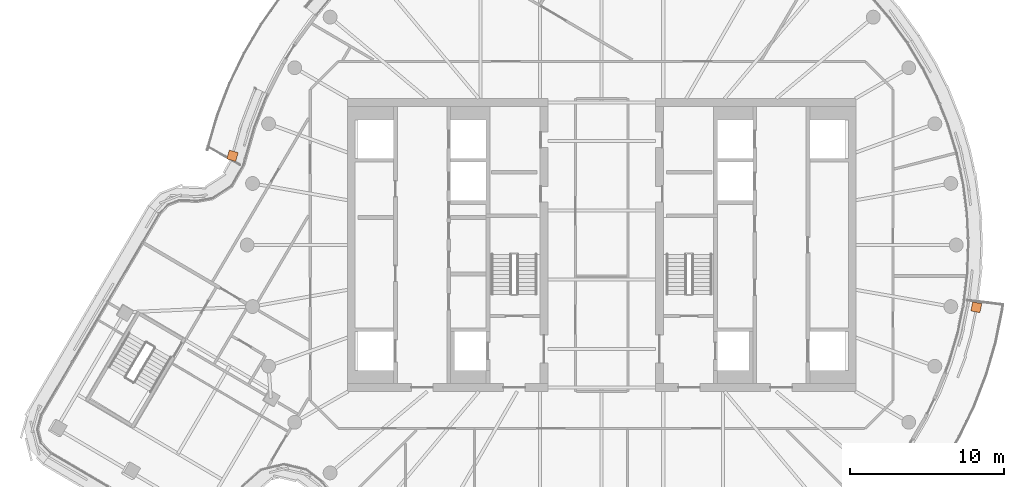
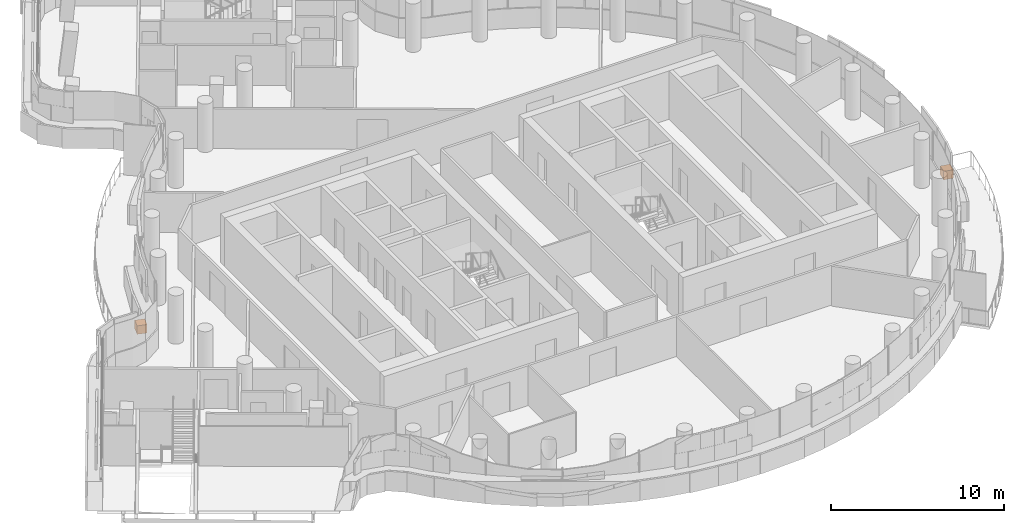
# One storey, part 26 of 26: 2 proxies.
"""IFC4 building model written with IfcOpenShell, lengths in metres."""

from ifc_helpers import new_model, si_unit, direction, frame, origin, origin_2d, place, context, subcontext, project, spatial, rectangle, extrude, material, type_object, element, save


model = new_model("IFC4")

# Units and contexts
model_context = context("Model", 3, precision=1e-05, world=origin(), true_north=direction((0.0, 1.0)))
body_context = subcontext(model_context, "Body", "Model", "MODEL_VIEW")
ifc_project = project(units=[si_unit("LENGTHUNIT", "METRE"), si_unit("AREAUNIT", "SQUARE_METRE"), si_unit("VOLUMEUNIT", "CUBIC_METRE"), si_unit("PLANEANGLEUNIT", "RADIAN"), si_unit("MASSUNIT", "GRAM", prefix="KILO")], contexts=[model_context])

# Site, building, storey
site_placement = place(None, origin())
site = spatial("IfcSite", under=ifc_project, at=site_placement, CompositionType="ELEMENT")
building_placement = place(site_placement, origin())
building = spatial("IfcBuilding", under=site, at=building_placement, Name="Tamarind Cross Interchange Tower", CompositionType="ELEMENT")
storey_placement = place(building_placement, frame((0.0, 0.0, 248.699951171875)))
storey = spatial("IfcBuildingStorey", under=building, at=storey_placement, Name="L63", CompositionType="ELEMENT", Elevation=248.699951171875)

# Proxies
ifc_material = material(Name="Concrete C30", Category="concrete")
building_element_proxy_type = type_object("IfcBuildingElementProxyType", Name="Planter", PredefinedType="USERDEFINED", material=ifc_material)
proxy_1_placement = place(storey_placement, origin())
element("IfcBuildingElementProxy", 1, at=proxy_1_placement, inside=storey, type_object=building_element_proxy_type, Name="PLT-L63-BAL01", ObjectType="Planter", PredefinedType="USERDEFINED", context=body_context, shape_type="SweptSolid", body=[
    extrude(rectangle(XDim=0.60009765625, YDim=0.60009765625, at=origin_2d()), frame((24.303955078125, -4.041748046875, 0.0), z_axis=(0.0, 0.0, 1.0), x_axis=(0.201001463943, 0.9795909409, 0.0)), (0.0, 0.0, 1.0), 0.60009765625),
])
proxy_2_placement = place(storey_placement, origin())
element("IfcBuildingElementProxy", 2, at=proxy_2_placement, inside=storey, type_object=building_element_proxy_type, Name="PLT-L63-BAL04", ObjectType="Planter", PredefinedType="USERDEFINED", context=body_context, shape_type="SweptSolid", body=[
    extrude(rectangle(XDim=0.60009765625, YDim=0.60009765625, at=origin_2d()), frame((-23.9541015625, 5.788818359375, 0.0), z_axis=(0.0, 0.0, 1.0), x_axis=(-0.281208920763, -0.95964657186, 0.0)), (0.0, 0.0, 1.0), 0.60009765625),
])

save(model, "model.ifc")
